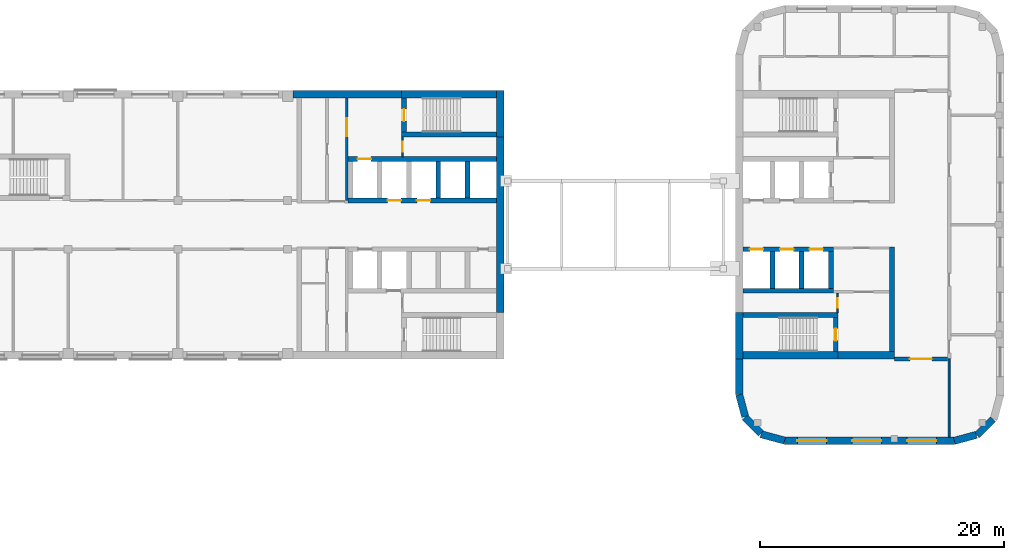
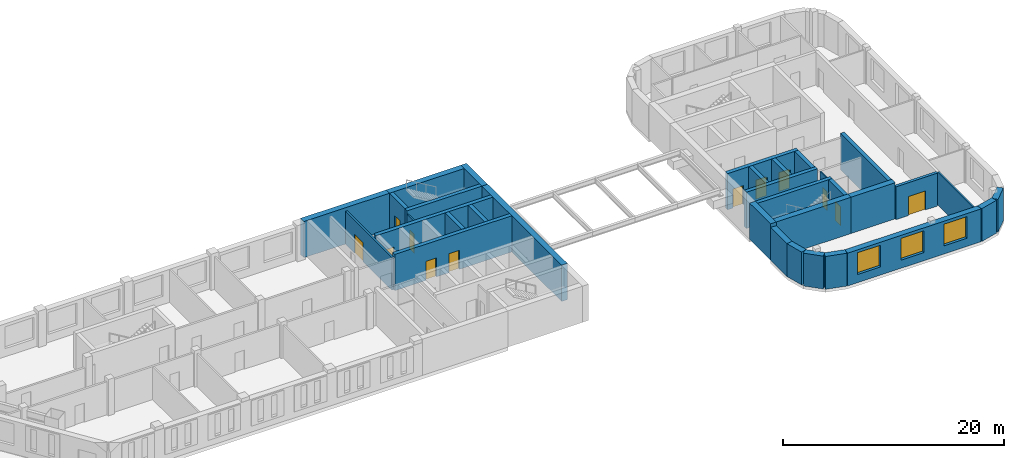
# One storey, part 7 of 14: 33 walls, 12 doors, 3 windows, 15 openings.
"""IFC4 building model written with IfcOpenShell, lengths in metres."""

from ifc_helpers import new_model, si_unit, direction, frame, frame_2d, origin, place, context, subcontext, project, spatial, rectangle, extrude, material, layer, layer_set, type_object, element, fill, save


model = new_model("IFC4")

# Units and contexts
model_context = context("Model", 3, precision=1e-05, world=origin(), true_north=direction((0.0, 1.0)))
body_context = subcontext(model_context, "Body", "Model", "MODEL_VIEW")
ifc_project = project(units=[si_unit("LENGTHUNIT", "METRE"), si_unit("AREAUNIT", "SQUARE_METRE"), si_unit("VOLUMEUNIT", "CUBIC_METRE"), si_unit("PLANEANGLEUNIT", "RADIAN"), si_unit("MASSUNIT", "GRAM", prefix="KILO")], contexts=[model_context])

# Site, building, storey
site_placement = place(None, origin())
site = spatial("IfcSite", under=ifc_project, at=site_placement, CompositionType="ELEMENT")
building_placement = place(site_placement, origin())
building = spatial("IfcBuilding", under=site, at=building_placement, Name="Skarvind Civic Tower", CompositionType="ELEMENT")
storey_placement = place(building_placement, frame((0.0, 0.0, 105.0)))
storey = spatial("IfcBuildingStorey", under=building, at=storey_placement, Name="L24", CompositionType="ELEMENT", Elevation=105.0)

# Wall, opening, door
ifc_material_1 = material(Name="Fire-rated gypsum board on steel studs", Category="steel")
ifc_layer_1 = layer(ifc_material_1, 0.300048828125)
ifc_layer_set_1 = layer_set([ifc_layer_1], Name="CORRIDOR WALL 300")
wall_type_1 = type_object("IfcWallType", Name="CORRIDOR WALL 300", PredefinedType="PARTITIONING", material=ifc_layer_set_1)
wall_1_placement = place(storey_placement, frame((144.35009765625, 117.0, 0.0), z_axis=(0.0, 0.0, 1.0), x_axis=(-1.0, 0.0, 0.0)))
wall_1 = element("IfcWall", 1, at=wall_1_placement, inside=storey, type_object=wall_type_1, Name="Partition 24.009", PredefinedType="PARTITIONING", context=body_context, shape_type="SweptSolid", body=[
    extrude(rectangle(XDim=4.35009765625, YDim=0.300048828125, at=frame_2d((2.175048828125, 0.0))), origin(), (0.0, 0.0, 1.0), 3.625),
])
opening_1_placement = place(wall_1_placement, frame((1.2666015625, 0.0, 0.0)))
opening_1 = element("IfcOpeningElement", 2, at=opening_1_placement, cuts=wall_1, Name="Opening L24-D105", PredefinedType="OPENING", context=body_context, shape_type="SweptSolid", body=[
    extrude(rectangle(XDim=1.800048828125, YDim=2.10009765625, at=frame_2d((0.89990234375, 1.050048828125))), frame((0.0, 0.159912109375, 0.0), z_axis=(0.0, -1.0, 0.0), x_axis=(1.0, 0.0, 0.0)), (0.0, 0.0, 1.0), 0.320068359375),
])
ifc_material_2 = material(Name="Fire-rated timber door leaf", Category="wood")
door_type_1 = type_object("IfcDoorType", Name="FD4 1800x2100", OperationType="NOTDEFINED", PredefinedType="DOOR", material=ifc_material_2)
door_1_placement = place(opening_1_placement, origin())
door_1 = element("IfcDoor", 3, at=door_1_placement, inside=storey, type_object=door_type_1, Name="Door L24-D105", OperationType="DOUBLE_DOOR_SINGLE_SWING", OverallHeight=2.10009765625, OverallWidth=1.800048828125, PredefinedType="DOOR", context=body_context, shape_type="SweptSolid", body=[
    extrude(rectangle(XDim=1.800048828125, YDim=2.10009765625, at=frame_2d((0.89990234375, 1.050048828125))), frame((0.0, 0.02490234375, 0.0), z_axis=(0.0, -1.0, 0.0), x_axis=(1.0, 0.0, 0.0)), (0.0, 0.0, 1.0), 0.050048828125),
])
fill(opening_1, door_1)

ifc_material_3 = material(Name="Fire-rated masonry partition", Category="masonry")
ifc_layer_2 = layer(ifc_material_3, 0.199951171875)
ifc_layer_set_2 = layer_set([ifc_layer_2], Name="Core enclosure wall 200")
wall_type_2 = type_object("IfcWallType", Name="Core enclosure wall 200", PredefinedType="PARTITIONING", material=ifc_layer_set_2)
wall_2_placement = place(storey_placement, frame((95.10009765625, 130.0, 0.0), z_axis=(0.0, 0.0, 1.0), x_axis=(0.0, 1.0, 0.0)))
wall_2 = element("IfcWall", 4, at=wall_2_placement, inside=storey, type_object=wall_type_2, Name="Core wall C1", PredefinedType="PARTITIONING", context=body_context, shape_type="SweptSolid", body=[
    extrude(rectangle(XDim=8.39990234375, YDim=0.199951171875, at=frame_2d((4.199951171875, 0.0))), origin(), (0.0, 0.0, 1.0), 3.625),
])
opening_2_placement = place(wall_2_placement, frame((5.25, 0.0, 0.0)))
opening_2 = element("IfcOpeningElement", 5, at=opening_2_placement, cuts=wall_2, Name="Opening D-L24-C1-12", PredefinedType="OPENING", context=body_context, shape_type="SweptSolid", body=[
    extrude(rectangle(XDim=1.5, YDim=2.10009765625, at=frame_2d((0.75, 1.050048828125))), frame((0.0, 0.10986328125, 0.0), z_axis=(0.0, -1.0, 0.0), x_axis=(1.0, 0.0, 0.0)), (0.0, 0.0, 1.0), 0.219970703125),
])
ifc_material_4 = material(Name="Fire-rated steel door", Category="steel")
door_type_2 = type_object("IfcDoorType", Name="Fire door 1500", OperationType="NOTDEFINED", PredefinedType="DOOR", material=ifc_material_4)
door_2_placement = place(opening_2_placement, origin())
door_2 = element("IfcDoor", 6, at=door_2_placement, inside=storey, type_object=door_type_2, Name="Fire door", OperationType="DOUBLE_DOOR_SINGLE_SWING", OverallHeight=2.10009765625, OverallWidth=1.5, PredefinedType="DOOR", context=body_context, shape_type="SweptSolid", body=[
    extrude(rectangle(XDim=1.5, YDim=2.10009765625, at=frame_2d((0.75, 1.050048828125))), frame((0.0, 0.02490234375, 0.0), z_axis=(0.0, -1.0, 0.0), x_axis=(1.0, 0.0, 0.0)), (0.0, 0.0, 1.0), 0.050048828125),
])
fill(opening_2, door_2)

# Wall
ifc_material_5 = material(Name="Concrete C80", Category="concrete")
ifc_layer_3 = layer(ifc_material_5, 0.39990234375)
ifc_layer_set_3 = layer_set([ifc_layer_3], Name="Core wall 400 C80")
wall_type_3 = type_object("IfcWallType", Name="Core wall 400 C80", PredefinedType="SHEAR", material=ifc_layer_set_3)
wall_3_placement = place(storey_placement, frame((107.39990234375, 135.39990234375, 0.0), z_axis=(0.0, 0.0, 1.0), x_axis=(-1.0, 0.0, 0.0)))
element("IfcWall", 7, at=wall_3_placement, inside=storey, type_object=wall_type_3, Name="Core wall C1 south stair inner L24", PredefinedType="SHEAR", context=body_context, shape_type="SweptSolid", body=[
    extrude(rectangle(XDim=7.7998046875, YDim=0.39990234375, at=frame_2d((3.89990234375, 0.0))), origin(), (0.0, 0.0, 1.0), 4.0),
])

# Wall, opening, door
wall_4_placement = place(storey_placement, frame((99.800048828125, 138.39990234375, 0.0), z_axis=(0.0, 0.0, 1.0), x_axis=(0.0, -1.0, 0.0)))
wall_4 = element("IfcWall", 8, at=wall_4_placement, inside=storey, type_object=wall_type_3, Name="Core wall C1 south stair end L24", PredefinedType="SHEAR", context=body_context, shape_type="SweptSolid", body=[
    extrude(rectangle(XDim=2.7998046875, YDim=0.39990234375, at=frame_2d((1.39990234375, 0.0))), origin(), (0.0, 0.0, 1.0), 4.0),
])
opening_3_placement = place(wall_4_placement, frame((0.89990234375, 0.0, 0.0)))
opening_3 = element("IfcOpeningElement", 9, at=opening_3_placement, cuts=wall_4, Name="Opening D-L24-C1-13", PredefinedType="OPENING", context=body_context, shape_type="SweptSolid", body=[
    extrude(rectangle(XDim=1.0, YDim=2.10009765625, at=frame_2d((0.5, 1.050048828125))), frame((0.0, 0.2099609375, 0.0), z_axis=(0.0, -1.0, 0.0), x_axis=(1.0, 0.0, 0.0)), (0.0, 0.0, 1.0), 0.419921875),
])
door_type_3 = type_object("IfcDoorType", Name="Fire door 1000", OperationType="NOTDEFINED", PredefinedType="DOOR", material=ifc_material_4)
door_3_placement = place(opening_3_placement, origin())
door_3 = element("IfcDoor", 10, at=door_3_placement, inside=storey, type_object=door_type_3, Name="Fire door", OperationType="SINGLE_SWING_RIGHT", OverallHeight=2.10009765625, OverallWidth=1.0, PredefinedType="DOOR", context=body_context, shape_type="SweptSolid", body=[
    extrude(rectangle(XDim=1.0, YDim=2.10009765625, at=frame_2d((0.5, 1.050048828125))), frame((0.0, 0.02490234375, 0.0), z_axis=(0.0, -1.0, 0.0), x_axis=(1.0, 0.0, 0.0)), (0.0, 0.0, 1.0), 0.050048828125),
])
fill(opening_3, door_3)

# Wall, openings, doors
wall_5_placement = place(storey_placement, frame((107.39990234375, 130.0, 0.0), z_axis=(0.0, 0.0, 1.0), x_axis=(-1.0, 0.0, 0.0)))
wall_5 = element("IfcWall", 11, at=wall_5_placement, inside=storey, type_object=wall_type_3, Name="Core wall C1 south lift row front L24", PredefinedType="SHEAR", context=body_context, shape_type="SweptSolid", body=[
    extrude(rectangle(XDim=12.199951171875, YDim=0.39990234375, at=frame_2d((6.10009765625, 0.0))), origin(), (0.0, 0.0, 1.0), 4.0),
])
opening_4_placement = place(wall_5_placement, frame((5.449951171875, 0.0, 0.0)))
opening_4 = element("IfcOpeningElement", 12, at=opening_4_placement, cuts=wall_5, Name="Opening LD26108", PredefinedType="OPENING", context=body_context, shape_type="SweptSolid", body=[
    extrude(rectangle(XDim=1.10009765625, YDim=2.10009765625, at=frame_2d((0.550048828125, 1.050048828125))), frame((0.0, 0.2099609375, 0.0), z_axis=(0.0, -1.0, 0.0), x_axis=(1.0, 0.0, 0.0)), (0.0, 0.0, 1.0), 0.419921875),
])
opening_5_placement = place(wall_5_placement, frame((7.85009765625, 0.0, 0.0)))
opening_5 = element("IfcOpeningElement", 13, at=opening_5_placement, cuts=wall_5, Name="Opening LD26109", PredefinedType="OPENING", context=body_context, shape_type="SweptSolid", body=[
    extrude(rectangle(XDim=1.10009765625, YDim=2.10009765625, at=frame_2d((0.550048828125, 1.050048828125))), frame((0.0, 0.2099609375, 0.0), z_axis=(0.0, -1.0, 0.0), x_axis=(1.0, 0.0, 0.0)), (0.0, 0.0, 1.0), 0.419921875),
])
ifc_material_6 = material(Name="Stainless steel landing door", Category="steel")
door_type_4 = type_object("IfcDoorType", Name="Lift landing door 1100", OperationType="DOUBLE_DOOR_SLIDING", PredefinedType="DOOR", material=ifc_material_6)
door_4_placement = place(opening_4_placement, origin())
door_4 = element("IfcDoor", 14, at=door_4_placement, inside=storey, type_object=door_type_4, Name="Lift landing door", OperationType="DOUBLE_DOOR_SLIDING", OverallHeight=2.10009765625, OverallWidth=1.10009765625, PredefinedType="DOOR", context=body_context, shape_type="SweptSolid", body=[
    extrude(rectangle(XDim=1.10009765625, YDim=2.10009765625, at=frame_2d((0.550048828125, 1.050048828125))), frame((0.0, 0.02490234375, 0.0), z_axis=(0.0, -1.0, 0.0), x_axis=(1.0, 0.0, 0.0)), (0.0, 0.0, 1.0), 0.050048828125),
])
fill(opening_4, door_4)
door_5_placement = place(opening_5_placement, origin())
door_5 = element("IfcDoor", 15, at=door_5_placement, inside=storey, type_object=door_type_4, Name="Lift landing door", OperationType="DOUBLE_DOOR_SLIDING", OverallHeight=2.10009765625, OverallWidth=1.10009765625, PredefinedType="DOOR", context=body_context, shape_type="SweptSolid", body=[
    extrude(rectangle(XDim=1.10009765625, YDim=2.10009765625, at=frame_2d((0.550048828125, 1.050048828125))), frame((0.0, 0.02490234375, 0.0), z_axis=(0.0, -1.0, 0.0), x_axis=(1.0, 0.0, 0.0)), (0.0, 0.0, 1.0), 0.050048828125),
])
fill(opening_5, door_5)

# Wall, opening, door
wall_6_placement = place(storey_placement, frame((107.39990234375, 133.39990234375, 0.0), z_axis=(0.0, 0.0, 1.0), x_axis=(-1.0, 0.0, 0.0)))
wall_6 = element("IfcWall", 16, at=wall_6_placement, inside=storey, type_object=wall_type_3, Name="Core wall C1 south lift row back L24", PredefinedType="SHEAR", context=body_context, shape_type="SweptSolid", body=[
    extrude(rectangle(XDim=12.199951171875, YDim=0.39990234375, at=frame_2d((6.10009765625, 0.0))), origin(), (0.0, 0.0, 1.0), 4.0),
])
opening_6_placement = place(wall_6_placement, frame((10.300048828125, 0.0, 0.0)))
opening_6 = element("IfcOpeningElement", 17, at=opening_6_placement, cuts=wall_6, Name="Opening LD26110", PredefinedType="OPENING", context=body_context, shape_type="SweptSolid", body=[
    extrude(rectangle(XDim=1.10009765625, YDim=2.10009765625, at=frame_2d((0.550048828125, 1.050048828125))), frame((0.0, 0.2099609375, 0.0), z_axis=(0.0, -1.0, 0.0), x_axis=(1.0, 0.0, 0.0)), (0.0, 0.0, 1.0), 0.419921875),
])
door_6_placement = place(opening_6_placement, origin())
door_6 = element("IfcDoor", 18, at=door_6_placement, inside=storey, type_object=door_type_4, Name="Lift landing door", OperationType="DOUBLE_DOOR_SLIDING", OverallHeight=2.10009765625, OverallWidth=1.10009765625, PredefinedType="DOOR", context=body_context, shape_type="SweptSolid", body=[
    extrude(rectangle(XDim=1.10009765625, YDim=2.10009765625, at=frame_2d((0.550048828125, 1.050048828125))), frame((0.0, 0.02490234375, 0.0), z_axis=(0.0, -1.0, 0.0), x_axis=(1.0, 0.0, 0.0)), (0.0, 0.0, 1.0), 0.050048828125),
])
fill(opening_6, door_6)

# Walls
for number, where, z_axis, x_axis, name in (
    (19, (105.0, 133.199951171875, 0.0), (0.0, 0.0, 1.0), (0.0, -1.0, 0.0), "Core wall C1 south lift row division 1 L24"),
    (20, (102.60009765625, 133.199951171875, 0.0), (0.0, 0.0, 1.0), (0.0, -1.0, 0.0), "Core wall C1 south lift row division 2 L24"),
):
    element("IfcWall", number, at=place(storey_placement, frame(where, z_axis=z_axis, x_axis=x_axis)), inside=storey, type_object=wall_type_3, Name=name, PredefinedType="SHEAR", context=body_context, shape_type="SweptSolid", body=[
        extrude(rectangle(XDim=3.0, YDim=0.39990234375, at=frame_2d((1.5, 0.0))), origin(), (0.0, 0.0, 1.0), 4.0),
    ])
wall_7_placement = place(storey_placement, frame((127.60009765625, 120.60009765625, 0.0), z_axis=(0.0, 0.0, 1.0), x_axis=(1.0, 0.0, 0.0)))
element("IfcWall", 21, at=wall_7_placement, inside=storey, type_object=wall_type_3, Name="Core wall CA south stair inner L24", PredefinedType="SHEAR", context=body_context, shape_type="SweptSolid", body=[
    extrude(rectangle(XDim=7.7998046875, YDim=0.39990234375, at=frame_2d((3.89990234375, 0.0))), origin(), (0.0, 0.0, 1.0), 4.0),
])

# Wall, opening, door
wall_8_placement = place(storey_placement, frame((135.199951171875, 117.60009765625, 0.0), z_axis=(0.0, 0.0, 1.0), x_axis=(0.0, 1.0, 0.0)))
wall_8 = element("IfcWall", 22, at=wall_8_placement, inside=storey, type_object=wall_type_3, Name="Core wall CA south stair end L24", PredefinedType="SHEAR", context=body_context, shape_type="SweptSolid", body=[
    extrude(rectangle(XDim=2.7998046875, YDim=0.39990234375, at=frame_2d((1.39990234375, 0.0))), origin(), (0.0, 0.0, 1.0), 4.0),
])
opening_7_placement = place(wall_8_placement, frame((0.89990234375, 0.0, 0.0)))
opening_7 = element("IfcOpeningElement", 23, at=opening_7_placement, cuts=wall_8, Name="Opening D-L24-CA-12", PredefinedType="OPENING", context=body_context, shape_type="SweptSolid", body=[
    extrude(rectangle(XDim=1.0, YDim=2.10009765625, at=frame_2d((0.5, 1.050048828125))), frame((0.0, 0.2099609375, 0.0), z_axis=(0.0, -1.0, 0.0), x_axis=(1.0, 0.0, 0.0)), (0.0, 0.0, 1.0), 0.419921875),
])
door_7_placement = place(opening_7_placement, origin())
door_7 = element("IfcDoor", 24, at=door_7_placement, inside=storey, type_object=door_type_3, Name="Fire door", OperationType="SINGLE_SWING_RIGHT", OverallHeight=2.10009765625, OverallWidth=1.0, PredefinedType="DOOR", context=body_context, shape_type="SweptSolid", body=[
    extrude(rectangle(XDim=1.0, YDim=2.10009765625, at=frame_2d((0.5, 1.050048828125))), frame((0.0, 0.02490234375, 0.0), z_axis=(0.0, -1.0, 0.0), x_axis=(1.0, 0.0, 0.0)), (0.0, 0.0, 1.0), 0.050048828125),
])
fill(opening_7, door_7)

# Wall, openings, doors
wall_9_placement = place(storey_placement, frame((127.60009765625, 126.0, 0.0), z_axis=(0.0, 0.0, 1.0), x_axis=(1.0, 0.0, 0.0)))
wall_9 = element("IfcWall", 25, at=wall_9_placement, inside=storey, type_object=wall_type_3, Name="Core wall CA south lift row front L24", PredefinedType="SHEAR", context=body_context, shape_type="SweptSolid", body=[
    extrude(rectangle(XDim=7.39990234375, YDim=0.39990234375, at=frame_2d((3.699951171875, 0.0))), origin(), (0.0, 0.0, 1.0), 4.0),
])
opening_8_placement = place(wall_9_placement, frame((0.550048828125, 0.0, 0.0)))
opening_8 = element("IfcOpeningElement", 26, at=opening_8_placement, cuts=wall_9, Name="Opening LD26304", PredefinedType="OPENING", context=body_context, shape_type="SweptSolid", body=[
    extrude(rectangle(XDim=1.10009765625, YDim=2.10009765625, at=frame_2d((0.550048828125, 1.050048828125))), frame((0.0, 0.2099609375, 0.0), z_axis=(0.0, -1.0, 0.0), x_axis=(1.0, 0.0, 0.0)), (0.0, 0.0, 1.0), 0.419921875),
])
opening_9_placement = place(wall_9_placement, frame((3.050048828125, 0.0, 0.0)))
opening_9 = element("IfcOpeningElement", 27, at=opening_9_placement, cuts=wall_9, Name="Opening LD26305", PredefinedType="OPENING", context=body_context, shape_type="SweptSolid", body=[
    extrude(rectangle(XDim=1.10009765625, YDim=2.10009765625, at=frame_2d((0.550048828125, 1.050048828125))), frame((0.0, 0.2099609375, 0.0), z_axis=(0.0, -1.0, 0.0), x_axis=(1.0, 0.0, 0.0)), (0.0, 0.0, 1.0), 0.419921875),
])
opening_10_placement = place(wall_9_placement, frame((5.449951171875, 0.0, 0.0)))
opening_10 = element("IfcOpeningElement", 28, at=opening_10_placement, cuts=wall_9, Name="Opening LD26306", PredefinedType="OPENING", context=body_context, shape_type="SweptSolid", body=[
    extrude(rectangle(XDim=1.10009765625, YDim=2.10009765625, at=frame_2d((0.550048828125, 1.050048828125))), frame((0.0, 0.2099609375, 0.0), z_axis=(0.0, -1.0, 0.0), x_axis=(1.0, 0.0, 0.0)), (0.0, 0.0, 1.0), 0.419921875),
])
door_8_placement = place(opening_8_placement, origin())
door_8 = element("IfcDoor", 29, at=door_8_placement, inside=storey, type_object=door_type_4, Name="Lift landing door", OperationType="DOUBLE_DOOR_SLIDING", OverallHeight=2.10009765625, OverallWidth=1.10009765625, PredefinedType="DOOR", context=body_context, shape_type="SweptSolid", body=[
    extrude(rectangle(XDim=1.10009765625, YDim=2.10009765625, at=frame_2d((0.550048828125, 1.050048828125))), frame((0.0, 0.02490234375, 0.0), z_axis=(0.0, -1.0, 0.0), x_axis=(1.0, 0.0, 0.0)), (0.0, 0.0, 1.0), 0.050048828125),
])
fill(opening_8, door_8)
door_9_placement = place(opening_9_placement, origin())
door_9 = element("IfcDoor", 30, at=door_9_placement, inside=storey, type_object=door_type_4, Name="Lift landing door", OperationType="DOUBLE_DOOR_SLIDING", OverallHeight=2.10009765625, OverallWidth=1.10009765625, PredefinedType="DOOR", context=body_context, shape_type="SweptSolid", body=[
    extrude(rectangle(XDim=1.10009765625, YDim=2.10009765625, at=frame_2d((0.550048828125, 1.050048828125))), frame((0.0, 0.02490234375, 0.0), z_axis=(0.0, -1.0, 0.0), x_axis=(1.0, 0.0, 0.0)), (0.0, 0.0, 1.0), 0.050048828125),
])
fill(opening_9, door_9)
door_10_placement = place(opening_10_placement, origin())
door_10 = element("IfcDoor", 31, at=door_10_placement, inside=storey, type_object=door_type_4, Name="Lift landing door", OperationType="DOUBLE_DOOR_SLIDING", OverallHeight=2.10009765625, OverallWidth=1.10009765625, PredefinedType="DOOR", context=body_context, shape_type="SweptSolid", body=[
    extrude(rectangle(XDim=1.10009765625, YDim=2.10009765625, at=frame_2d((0.550048828125, 1.050048828125))), frame((0.0, 0.02490234375, 0.0), z_axis=(0.0, -1.0, 0.0), x_axis=(1.0, 0.0, 0.0)), (0.0, 0.0, 1.0), 0.050048828125),
])
fill(opening_10, door_10)

# Walls
wall_10_placement = place(storey_placement, frame((127.60009765625, 122.60009765625, 0.0), z_axis=(0.0, 0.0, 1.0), x_axis=(1.0, 0.0, 0.0)))
element("IfcWall", 32, at=wall_10_placement, inside=storey, type_object=wall_type_3, Name="Core wall CA south lift row back L24", PredefinedType="SHEAR", context=body_context, shape_type="SweptSolid", body=[
    extrude(rectangle(XDim=7.39990234375, YDim=0.39990234375, at=frame_2d((3.699951171875, 0.0))), origin(), (0.0, 0.0, 1.0), 4.0),
])
for number, where, z_axis, x_axis, name in (
    (33, (130.0, 122.800048828125, 0.0), (0.0, 0.0, 1.0), (0.0, 1.0, 0.0), "Core wall CA south lift row division 1 L24"),
    (34, (132.39990234375, 122.800048828125, 0.0), (0.0, 0.0, 1.0), (0.0, 1.0, 0.0), "Core wall CA south lift row division 2 L24"),
    (35, (134.800048828125, 122.800048828125, 0.0), (0.0, 0.0, 1.0), (0.0, 1.0, 0.0), "Core wall CA south lift row division 3 L24"),
):
    element("IfcWall", number, at=place(storey_placement, frame(where, z_axis=z_axis, x_axis=x_axis)), inside=storey, type_object=wall_type_3, Name=name, PredefinedType="SHEAR", context=body_context, shape_type="SweptSolid", body=[
        extrude(rectangle(XDim=3.0, YDim=0.39990234375, at=frame_2d((1.5, 0.0))), origin(), (0.0, 0.0, 1.0), 4.0),
    ])
wall_11_placement = place(storey_placement, frame((139.800048828125, 117.60009765625, 0.0), z_axis=(0.0, 0.0, 1.0), x_axis=(0.0, 1.0, 0.0)))
element("IfcWall", 36, at=wall_11_placement, inside=storey, type_object=wall_type_3, Name="Core wall CA south inner face L24", PredefinedType="SHEAR", context=body_context, shape_type="SweptSolid", body=[
    extrude(rectangle(XDim=8.599853515625, YDim=0.39990234375, at=frame_2d((4.2998046875, 0.0))), origin(), (0.0, 0.0, 1.0), 4.0),
])
ifc_layer_4 = layer(ifc_material_5, 0.60009765625)
ifc_layer_set_4 = layer_set([ifc_layer_4], Name="Core wall 600 C80")
wall_type_4 = type_object("IfcWallType", Name="Core wall 600 C80", PredefinedType="SHEAR", material=ifc_layer_set_4)
wall_12_placement = place(storey_placement, frame((107.699951171875, 139.0, 0.0), z_axis=(0.0, 0.0, 1.0), x_axis=(0.0, -1.0, 0.0)))
element("IfcWall", 37, at=wall_12_placement, inside=storey, type_object=wall_type_4, Name="Core wall C1 tip at the south stair L24", PredefinedType="SHEAR", context=body_context, shape_type="SweptSolid", body=[
    extrude(rectangle(XDim=3.800048828125, YDim=0.60009765625, at=frame_2d((1.89990234375, 0.0))), origin(), (0.0, 0.0, 1.0), 4.0),
])
wall_13_placement = place(storey_placement, frame((107.699951171875, 135.199951171875, 0.0), z_axis=(0.0, 0.0, 1.0), x_axis=(0.0, -1.0, 0.0)))
element("IfcWall", 38, at=wall_13_placement, inside=storey, type_object=wall_type_4, Name="Core wall C1 tip between the stairs L24", PredefinedType="SHEAR", context=body_context, shape_type="SweptSolid", body=[
    extrude(rectangle(XDim=14.39990234375, YDim=0.60009765625, at=frame_2d((7.199951171875, 0.0))), origin(), (0.0, 0.0, 1.0), 4.0),
])
wall_14_placement = place(storey_placement, frame((107.39990234375, 138.699951171875, 0.0), z_axis=(0.0, 0.0, 1.0), x_axis=(-1.0, 0.0, 0.0)))
element("IfcWall", 39, at=wall_14_placement, inside=storey, type_object=wall_type_4, Name="Core wall C1 south side at the stair L24", PredefinedType="SHEAR", context=body_context, shape_type="SweptSolid", body=[
    extrude(rectangle(XDim=7.7998046875, YDim=0.60009765625, at=frame_2d((3.89990234375, 0.0))), origin(), (0.0, 0.0, 1.0), 4.0),
])
wall_15_placement = place(storey_placement, frame((99.60009765625, 138.699951171875, 0.0), z_axis=(0.0, 0.0, 1.0), x_axis=(-1.0, 0.0, 0.0)))
element("IfcWall", 40, at=wall_15_placement, inside=storey, type_object=wall_type_4, Name="Core wall C1 south side L24", PredefinedType="SHEAR", context=body_context, shape_type="SweptSolid", body=[
    extrude(rectangle(XDim=8.925048828125, YDim=0.60009765625, at=frame_2d((4.46240234375, 0.0))), origin(), (0.0, 0.0, 1.0), 4.0),
])
wall_16_placement = place(storey_placement, frame((127.300048828125, 117.0, 0.0), z_axis=(0.0, 0.0, 1.0), x_axis=(0.0, 1.0, 0.0)))
element("IfcWall", 41, at=wall_16_placement, inside=storey, type_object=wall_type_4, Name="Core wall CA tip at the south stair L24", PredefinedType="SHEAR", context=body_context, shape_type="SweptSolid", body=[
    extrude(rectangle(XDim=3.800048828125, YDim=0.60009765625, at=frame_2d((1.89990234375, 0.0))), origin(), (0.0, 0.0, 1.0), 4.0),
])
wall_17_placement = place(storey_placement, frame((127.60009765625, 117.300048828125, 0.0), z_axis=(0.0, 0.0, 1.0), x_axis=(1.0, 0.0, 0.0)))
element("IfcWall", 42, at=wall_17_placement, inside=storey, type_object=wall_type_4, Name="Core wall CA south side at the stair L24", PredefinedType="SHEAR", context=body_context, shape_type="SweptSolid", body=[
    extrude(rectangle(XDim=7.7998046875, YDim=0.60009765625, at=frame_2d((3.89990234375, 0.0))), origin(), (0.0, 0.0, 1.0), 4.0),
])
wall_18_placement = place(storey_placement, frame((135.39990234375, 117.300048828125, 0.0), z_axis=(0.0, 0.0, 1.0), x_axis=(1.0, 0.0, 0.0)))
element("IfcWall", 43, at=wall_18_placement, inside=storey, type_object=wall_type_4, Name="Core wall CA south side L24", PredefinedType="SHEAR", context=body_context, shape_type="SweptSolid", body=[
    extrude(rectangle(XDim=4.60009765625, YDim=0.60009765625, at=frame_2d((2.300048828125, 0.0))), origin(), (0.0, 0.0, 1.0), 4.0),
])
ifc_material_7 = material(Name="Plasterboard partition on steel studs", Category="steel")
ifc_layer_5 = layer(ifc_material_7, 0.14990234375)
ifc_layer_set_5 = layer_set([ifc_layer_5], Name="PARTITION 150")
wall_type_5 = type_object("IfcWallType", Name="PARTITION 150", PredefinedType="PARTITIONING", material=ifc_layer_set_5)
wall_19_placement = place(storey_placement, frame((144.5, 117.0, 0.0), z_axis=(0.0, 0.0, 1.0), x_axis=(0.0, -1.0, 0.0)))
element("IfcWall", 44, at=wall_19_placement, inside=storey, type_object=wall_type_5, Name="Partition 24.010", PredefinedType="PARTITIONING", context=body_context, shape_type="SweptSolid", body=[
    extrude(rectangle(XDim=6.39990234375, YDim=0.14990234375, at=frame_2d((3.199951171875, 0.0))), origin(), (0.0, 0.0, 1.0), 3.625),
])

# Wall, opening, door
ifc_layer_6 = layer(ifc_material_3, 0.125)
ifc_layer_set_6 = layer_set([ifc_layer_6], Name="Riser wall 125")
wall_type_6 = type_object("IfcWallType", Name="Riser wall 125", PredefinedType="PARTITIONING", material=ifc_layer_set_6)
wall_20_placement = place(storey_placement, frame((99.66259765625, 133.60009765625, 0.0), z_axis=(0.0, 0.0, 1.0), x_axis=(0.0, 1.0, 0.0)))
wall_20 = element("IfcWall", 45, at=wall_20_placement, inside=storey, type_object=wall_type_6, Name="Core wall C1", PredefinedType="PARTITIONING", context=body_context, shape_type="SweptSolid", body=[
    extrude(rectangle(XDim=1.599853515625, YDim=0.125, at=frame_2d((0.7998046875, 0.0))), origin(), (0.0, 0.0, 1.0), 3.625),
])
opening_11_placement = place(wall_20_placement, frame((0.39990234375, 0.0, 0.0)))
opening_11 = element("IfcOpeningElement", 46, at=opening_11_placement, cuts=wall_20, Name="Opening D-L24-C1-14", PredefinedType="OPENING", context=body_context, shape_type="SweptSolid", body=[
    extrude(rectangle(XDim=0.800048828125, YDim=2.10009765625, at=frame_2d((0.39990234375, 1.050048828125))), frame((0.0, 0.072509765625, 0.0), z_axis=(0.0, -1.0, 0.0), x_axis=(1.0, 0.0, 0.0)), (0.0, 0.0, 1.0), 0.14501953125),
])
door_type_5 = type_object("IfcDoorType", Name="Core riser door 800", OperationType="NOTDEFINED", PredefinedType="DOOR", material=ifc_material_4)
door_11_placement = place(opening_11_placement, origin())
door_11 = element("IfcDoor", 47, at=door_11_placement, inside=storey, type_object=door_type_5, Name="Riser door", OperationType="SINGLE_SWING_LEFT", OverallHeight=2.10009765625, OverallWidth=0.800048828125, PredefinedType="DOOR", context=body_context, shape_type="SweptSolid", body=[
    extrude(rectangle(XDim=0.800048828125, YDim=2.10009765625, at=frame_2d((0.39990234375, 1.050048828125))), frame((0.0, 0.02490234375, 0.0), z_axis=(0.0, -1.0, 0.0), x_axis=(1.0, 0.0, 0.0)), (0.0, 0.0, 1.0), 0.050048828125),
])
fill(opening_11, door_11)

wall_21_placement = place(storey_placement, frame((135.33740234375, 122.39990234375, 0.0), z_axis=(0.0, 0.0, 1.0), x_axis=(0.0, -1.0, 0.0)))
wall_21 = element("IfcWall", 48, at=wall_21_placement, inside=storey, type_object=wall_type_6, Name="Core wall CA", PredefinedType="PARTITIONING", context=body_context, shape_type="SweptSolid", body=[
    extrude(rectangle(XDim=1.599853515625, YDim=0.125, at=frame_2d((0.7998046875, 0.0))), origin(), (0.0, 0.0, 1.0), 3.625),
])
opening_12_placement = place(wall_21_placement, frame((0.39990234375, 0.0, 0.0)))
opening_12 = element("IfcOpeningElement", 49, at=opening_12_placement, cuts=wall_21, Name="Opening D-L24-CA-13", PredefinedType="OPENING", context=body_context, shape_type="SweptSolid", body=[
    extrude(rectangle(XDim=0.800048828125, YDim=2.10009765625, at=frame_2d((0.39990234375, 1.050048828125))), frame((0.0, 0.072509765625, 0.0), z_axis=(0.0, -1.0, 0.0), x_axis=(1.0, 0.0, 0.0)), (0.0, 0.0, 1.0), 0.14501953125),
])
door_12_placement = place(opening_12_placement, origin())
door_12 = element("IfcDoor", 50, at=door_12_placement, inside=storey, type_object=door_type_5, Name="Riser door", OperationType="SINGLE_SWING_LEFT", OverallHeight=2.10009765625, OverallWidth=0.800048828125, PredefinedType="DOOR", context=body_context, shape_type="SweptSolid", body=[
    extrude(rectangle(XDim=0.800048828125, YDim=2.10009765625, at=frame_2d((0.39990234375, 1.050048828125))), frame((0.0, 0.02490234375, 0.0), z_axis=(0.0, -1.0, 0.0), x_axis=(1.0, 0.0, 0.0)), (0.0, 0.0, 1.0), 0.050048828125),
])
fill(opening_12, door_12)

# Walls
ifc_material_8 = material(Name="Limestone masonry cladding on insulated backing", Category="masonry")
ifc_layer_7 = layer(ifc_material_8, 0.60009765625)
ifc_layer_set_7 = layer_set([ifc_layer_7], Name="WX1 STONE FACADE WALL 600")
wall_type_7 = type_object("IfcWallType", Name="WX1 STONE FACADE WALL 600", PredefinedType="SOLIDWALL", material=ifc_layer_set_7)
wall_22_placement = place(storey_placement, frame((127.300048828125, 114.070068359375, 0.0), z_axis=(0.0, 0.0, 1.0), x_axis=(0.0, 1.0, 0.0)))
element("IfcWall", 51, at=wall_22_placement, inside=storey, type_object=wall_type_7, Name="STONE FACADE WALL", PredefinedType="SOLIDWALL", context=body_context, shape_type="SweptSolid", body=[
    extrude(rectangle(XDim=2.909912109375, YDim=0.60009765625, at=frame_2d((1.455078125, 0.0))), origin(), (0.0, 0.0, 1.0), 3.625),
])
for number, where, z_axis, x_axis, name in (
    (52, (127.771240234375, 112.280517578125, 0.0), (0.0, 0.0, 1.0), (-0.258773254036, 0.965938094805, 0.0), "STONE FACADE WALL"),
    (53, (129.063720703125, 110.896484375, 0.0), (0.0, 0.0, 1.0), (-0.707106781187, 0.707106781187, 0.0), "STONE FACADE WALL"),
):
    element("IfcWall", number, at=place(storey_placement, frame(where, z_axis=z_axis, x_axis=x_axis)), inside=storey, type_object=wall_type_7, Name=name, PredefinedType="SOLIDWALL", context=body_context, shape_type="SweptSolid", body=[
        extrude(rectangle(XDim=1.860595703125, YDim=0.60009765625, at=frame_2d((0.93017578125, 0.0))), origin(), (0.0, 0.0, 1.0), 3.625),
    ])
wall_23_placement = place(storey_placement, frame((131.010009765625, 110.307861328125, 0.0), z_axis=(0.0, 0.0, 1.0), x_axis=(-0.965920269068, 0.258839784042, 0.0)))
element("IfcWall", 54, at=wall_23_placement, inside=storey, type_object=wall_type_7, Name="STONE FACADE WALL", PredefinedType="SOLIDWALL", context=body_context, shape_type="SweptSolid", body=[
    extrude(rectangle(XDim=2.00048828125, YDim=0.60009765625, at=frame_2d((1.000244140625, 0.0))), origin(), (0.0, 0.0, 1.0), 3.625),
])

# Wall, openings, windows
wall_24_placement = place(storey_placement, frame((144.929931640625, 110.300048828125, 0.0), z_axis=(0.0, 0.0, 1.0), x_axis=(-1.0, 0.0, 0.0)))
wall_24 = element("IfcWall", 55, at=wall_24_placement, inside=storey, type_object=wall_type_7, Name="STONE FACADE WALL", PredefinedType="SOLIDWALL", context=body_context, shape_type="SweptSolid", body=[
    extrude(rectangle(XDim=13.929931640625, YDim=0.60009765625, at=frame_2d((6.96484375, 0.0))), origin(), (0.0, 0.0, 1.0), 3.625),
])
opening_13_placement = place(wall_24_placement, frame((1.47998046875, 0.0, 0.89990234375)))
opening_13 = element("IfcOpeningElement", 56, at=opening_13_placement, cuts=wall_24, Name="Opening WN9", PredefinedType="OPENING", context=body_context, shape_type="SweptSolid", body=[
    extrude(rectangle(XDim=2.39990234375, YDim=2.39990234375, at=frame_2d((1.199951171875, 1.199951171875))), frame((0.0, 0.31005859375, 0.0), z_axis=(0.0, -1.0, 0.0), x_axis=(1.0, 0.0, 0.0)), (0.0, 0.0, 1.0), 0.6201171875),
])
opening_14_placement = place(wall_24_placement, frame((5.97998046875, 0.0, 0.89990234375)))
opening_14 = element("IfcOpeningElement", 57, at=opening_14_placement, cuts=wall_24, Name="Opening WN9", PredefinedType="OPENING", context=body_context, shape_type="SweptSolid", body=[
    extrude(rectangle(XDim=2.39990234375, YDim=2.39990234375, at=frame_2d((1.199951171875, 1.199951171875))), frame((0.0, 0.31005859375, 0.0), z_axis=(0.0, -1.0, 0.0), x_axis=(1.0, 0.0, 0.0)), (0.0, 0.0, 1.0), 0.6201171875),
])
opening_15_placement = place(wall_24_placement, frame((10.47998046875, 0.0, 0.89990234375)))
opening_15 = element("IfcOpeningElement", 58, at=opening_15_placement, cuts=wall_24, Name="Opening WN9", PredefinedType="OPENING", context=body_context, shape_type="SweptSolid", body=[
    extrude(rectangle(XDim=2.39990234375, YDim=2.39990234375, at=frame_2d((1.199951171875, 1.199951171875))), frame((0.0, 0.31005859375, 0.0), z_axis=(0.0, -1.0, 0.0), x_axis=(1.0, 0.0, 0.0)), (0.0, 0.0, 1.0), 0.6201171875),
])
ifc_material_9 = material(Name="Timber frame, double glazing, timber-lined reveal", Category="wood")
window_type = type_object("IfcWindowType", Name="WN9 COMPANION TOWER WINDOW 2400 x 2400", PartitioningType="SINGLE_PANEL", PredefinedType="WINDOW", material=ifc_material_9)
window_1_placement = place(opening_13_placement, origin())
window_1 = element("IfcWindow", 59, at=window_1_placement, inside=storey, type_object=window_type, Name="WN9 WINDOW", OverallHeight=2.39990234375, OverallWidth=2.39990234375, PartitioningType="SINGLE_PANEL", PredefinedType="WINDOW", context=body_context, shape_type="SweptSolid", body=[
    extrude(rectangle(XDim=2.39990234375, YDim=2.39990234375, at=frame_2d((1.199951171875, 1.199951171875))), frame((0.0, 0.030029296875, 0.0), z_axis=(0.0, -1.0, 0.0), x_axis=(1.0, 0.0, 0.0)), (0.0, 0.0, 1.0), 0.06005859375),
])
fill(opening_13, window_1)
window_2_placement = place(opening_14_placement, origin())
window_2 = element("IfcWindow", 60, at=window_2_placement, inside=storey, type_object=window_type, Name="WN9 WINDOW", OverallHeight=2.39990234375, OverallWidth=2.39990234375, PartitioningType="SINGLE_PANEL", PredefinedType="WINDOW", context=body_context, shape_type="SweptSolid", body=[
    extrude(rectangle(XDim=2.39990234375, YDim=2.39990234375, at=frame_2d((1.199951171875, 1.199951171875))), frame((0.0, 0.030029296875, 0.0), z_axis=(0.0, -1.0, 0.0), x_axis=(1.0, 0.0, 0.0)), (0.0, 0.0, 1.0), 0.06005859375),
])
fill(opening_14, window_2)
window_3_placement = place(opening_15_placement, origin())
window_3 = element("IfcWindow", 61, at=window_3_placement, inside=storey, type_object=window_type, Name="WN9 WINDOW", OverallHeight=2.39990234375, OverallWidth=2.39990234375, PartitioningType="SINGLE_PANEL", PredefinedType="WINDOW", context=body_context, shape_type="SweptSolid", body=[
    extrude(rectangle(XDim=2.39990234375, YDim=2.39990234375, at=frame_2d((1.199951171875, 1.199951171875))), frame((0.0, 0.030029296875, 0.0), z_axis=(0.0, -1.0, 0.0), x_axis=(1.0, 0.0, 0.0)), (0.0, 0.0, 1.0), 0.06005859375),
])
fill(opening_15, window_3)

# Walls
for number, where, z_axis, x_axis, name in (
    (62, (146.719482421875, 110.771240234375, 0.0), (0.0, 0.0, 1.0), (-0.965938094805, -0.258773254036, 0.0), "STONE FACADE WALL"),
    (63, (148.103515625, 112.063720703125, 0.0), (0.0, 0.0, 1.0), (-0.707106781187, -0.707106781187, 0.0), "STONE FACADE WALL"),
):
    element("IfcWall", number, at=place(storey_placement, frame(where, z_axis=z_axis, x_axis=x_axis)), inside=storey, type_object=wall_type_7, Name=name, PredefinedType="SOLIDWALL", context=body_context, shape_type="SweptSolid", body=[
        extrude(rectangle(XDim=1.860595703125, YDim=0.60009765625, at=frame_2d((0.93017578125, 0.0))), origin(), (0.0, 0.0, 1.0), 3.625),
    ])

save(model, "model.ifc")
